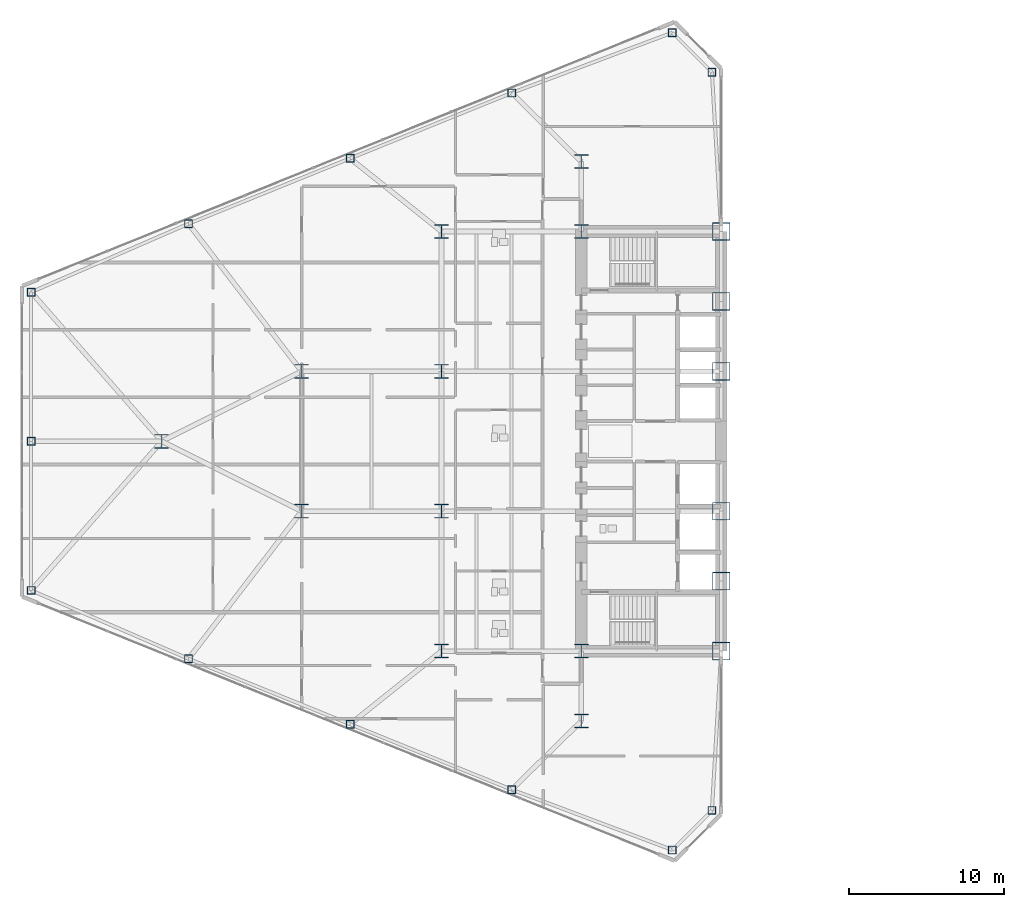
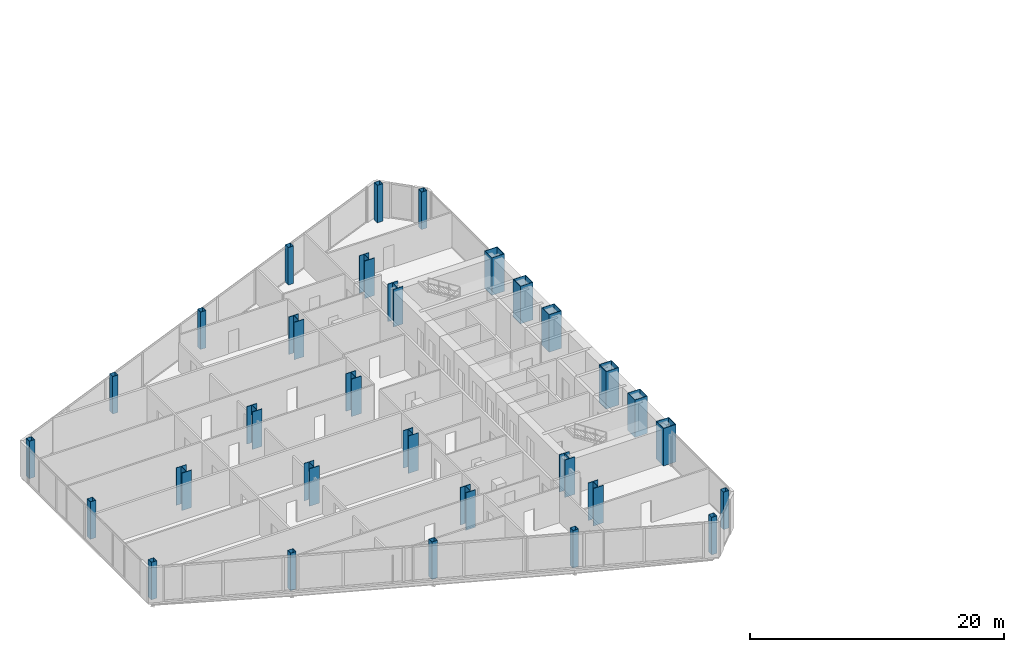
# One storey, part 1 of 25: 30 columns.
"""IFC4 building model written with IfcOpenShell, lengths in metres."""

from ifc_helpers import new_model, si_unit, direction, frame, origin, origin_2d, place, context, subcontext, project, spatial, hollow_rectangle, i_section, extrude, source, transform, mapped, material, material_profile, profile_set, type_object, type_shapes, element, save


model = new_model("IFC4")

# Units and contexts
model_context = context("Model", 3, precision=1e-05, world=origin(), true_north=direction((0.0, 1.0)))
body_context = subcontext(model_context, "Body", "Model", "MODEL_VIEW")
ifc_project = project(units=[si_unit("LENGTHUNIT", "METRE"), si_unit("AREAUNIT", "SQUARE_METRE"), si_unit("VOLUMEUNIT", "CUBIC_METRE"), si_unit("PLANEANGLEUNIT", "RADIAN"), si_unit("MASSUNIT", "GRAM", prefix="KILO")], contexts=[model_context])

# Site, building, storey
site_placement = place(None, origin())
site = spatial("IfcSite", under=ifc_project, at=site_placement, CompositionType="ELEMENT")
building_placement = place(site_placement, origin())
building = spatial("IfcBuilding", under=site, at=building_placement, Name="Seokmaru Belvedere", CompositionType="ELEMENT")
storey_placement = place(building_placement, frame((0.0, 0.0, 36.89990234375)))
storey = spatial("IfcBuildingStorey", under=building, at=storey_placement, Name="L09", CompositionType="ELEMENT", Elevation=36.89990234375)

# Columns
ifc_material_1 = material(Name="Steel HSA650 (650 MPa)", Category="steel")
ifc_material_profile_1 = material_profile(ifc_material_1, hollow_rectangle(XDim=1.14990234375, YDim=1.14990234375, WallThickness=0.048095703125, at=origin_2d()), Name="BOX-1150x1150x48")
ifc_profile_set_1 = profile_set([ifc_material_profile_1], Name="Steel HSA650 (650 MPa)")
column_type_1 = type_object("IfcColumnType", Name="Portal Spine Column BOX-1150", PredefinedType="COLUMN", material=ifc_profile_set_1)
shared_shape_1 = source(origin(), body_context, "Body", "SweptSolid", [
    extrude(hollow_rectangle(XDim=1.14990234375, YDim=1.14990234375, WallThickness=0.048095703125, at=origin_2d()), origin(), (0.0, 0.0, 1.0), 3.60009765625),
])
type_shapes(column_type_1, [shared_shape_1])
for number, where, z_axis, x_axis, name in (
    (1, (-27.5, -13.5, 0.0), (0.0, 0.0, 1.0), (1.0, 0.0, 0.0), "L09 Column WS1"),
    (2, (-27.5, -9.0, 0.0), (0.0, 0.0, 1.0), (1.0, 0.0, 0.0), "L09 Column WS2"),
    (3, (-27.5, -4.5, 0.0), (0.0, 0.0, 1.0), (1.0, 0.0, 0.0), "L09 Column WS3"),
    (4, (-27.5, 4.5, 0.0), (0.0, 0.0, 1.0), (1.0, 0.0, 0.0), "L09 Column WS4"),
    (5, (-27.5, 9.0, 0.0), (0.0, 0.0, 1.0), (1.0, 0.0, 0.0), "L09 Column WS5"),
    (6, (-27.5, 13.5, 0.0), (0.0, 0.0, 1.0), (1.0, 0.0, 0.0), "L09 Column WS6"),
):
    element("IfcColumn", number, at=place(storey_placement, frame(where, z_axis=z_axis, x_axis=x_axis)), inside=storey, type_object=column_type_1, Name=name, PredefinedType="COLUMN", context=body_context, shape_type="MappedRepresentation", body=[
        mapped(shared_shape_1, transform((0.0, 0.0, 0.0), scale=1.0)),
    ])
ifc_material_profile_2 = material_profile(ifc_material_1, i_section(OverallWidth=0.89990234375, OverallDepth=0.89990234375, WebThickness=0.035888671875, FlangeThickness=0.054931640625, at=origin_2d()), Name="H-900x900x36x55")
ifc_profile_set_2 = profile_set([ifc_material_profile_2], Name="Steel HSA650 (650 MPa)")
column_type_2 = type_object("IfcColumnType", Name="Lower Interior Column H-900", PredefinedType="COLUMN", material=ifc_profile_set_2)
shared_shape_2 = source(origin(), body_context, "Body", "SweptSolid", [
    extrude(i_section(OverallWidth=0.89990234375, OverallDepth=0.89990234375, WebThickness=0.035888671875, FlangeThickness=0.054931640625, at=origin_2d()), origin(), (0.0, 0.0, 1.0), 3.60009765625),
])
type_shapes(column_type_2, [shared_shape_2])
for number, where, z_axis, x_axis, name in (
    (7, (-36.5, -18.0, 0.0), (0.0, 0.0, 1.0), (1.0, 0.0, 0.0), "L09 Column WC1"),
    (8, (-36.5, -13.5, 0.0), (0.0, 0.0, 1.0), (1.0, 0.0, 0.0), "L09 Column WC2"),
    (9, (-36.5, 13.5, 0.0), (0.0, 0.0, 1.0), (1.0, 0.0, 0.0), "L09 Column WC3"),
    (10, (-36.5, 18.0, 0.0), (0.0, 0.0, 1.0), (1.0, 0.0, 0.0), "L09 Column WC4"),
    (11, (-45.5, -13.5, 0.0), (0.0, 0.0, 1.0), (1.0, 0.0, 0.0), "L09 Column WG5_1"),
    (12, (-45.5, -4.5, 0.0), (0.0, 0.0, 1.0), (1.0, 0.0, 0.0), "L09 Column WG5_2"),
    (13, (-45.5, 4.5, 0.0), (0.0, 0.0, 1.0), (1.0, 0.0, 0.0), "L09 Column WG5_3"),
    (14, (-45.5, 13.5, 0.0), (0.0, 0.0, 1.0), (1.0, 0.0, 0.0), "L09 Column WG5_4"),
    (15, (-54.5, -4.5, 0.0), (0.0, 0.0, 1.0), (1.0, 0.0, 0.0), "L09 Column WG4P_1"),
    (16, (-54.5, 4.5, 0.0), (0.0, 0.0, 1.0), (1.0, 0.0, 0.0), "L09 Column WG4P_2"),
    (17, (-63.5, 0.0, 0.0), (0.0, 0.0, 1.0), (1.0, 0.0, 0.0), "L09 Column WG3P_1"),
):
    element("IfcColumn", number, at=place(storey_placement, frame(where, z_axis=z_axis, x_axis=x_axis)), inside=storey, type_object=column_type_2, Name=name, PredefinedType="COLUMN", context=body_context, shape_type="MappedRepresentation", body=[
        mapped(shared_shape_2, transform((0.0, 0.0, 0.0), scale=1.0)),
    ])
ifc_material_2 = material(Name="Steel SM355 (355 MPa)", Category="steel")
ifc_material_profile_3 = material_profile(ifc_material_2, hollow_rectangle(XDim=0.5, YDim=0.5, WallThickness=0.02001953125, at=origin_2d()), Name="HSS-500x500x20")
ifc_profile_set_3 = profile_set([ifc_material_profile_3], Name="Steel SM355 (355 MPa)")
column_type_3 = type_object("IfcColumnType", Name="Perimeter Facet Column HSS-500", PredefinedType="COLUMN", material=ifc_profile_set_3)
shared_shape_3 = source(origin(), body_context, "Body", "SweptSolid", [
    extrude(hollow_rectangle(XDim=0.5, YDim=0.5, WallThickness=0.02001953125, at=origin_2d()), origin(), (0.0, 0.0, 1.0), 3.60009765625),
])
type_shapes(column_type_3, [shared_shape_3])
for number, where, z_axis, x_axis, name in (
    (18, (-28.10009765625, -23.75146484375, 0.0), (0.0, 0.0, 1.0), (1.0, 0.0, 0.0), "L09 Column WF1"),
    (19, (-28.10009765625, 23.75146484375, 0.0), (0.0, 0.0, 1.0), (1.0, 0.0, 0.0), "L09 Column WF2"),
    (20, (-30.643310546875, 26.294677734375, 0.0), (0.0, 0.0, 1.0), (1.0, 0.0, 0.0), "L09 Column WF3"),
    (21, (-71.89990234375, 9.595703125, 0.0), (0.0, 0.0, 1.0), (1.0, 0.0, 0.0), "L09 Column WF4"),
    (22, (-71.89990234375, -9.595703125, 0.0), (0.0, 0.0, 1.0), (1.0, 0.0, 0.0), "L09 Column WF5"),
    (23, (-30.643310546875, -26.294677734375, 0.0), (0.0, 0.0, 1.0), (1.0, 0.0, 0.0), "L09 Column WF6"),
    (24, (-40.977294921875, -22.4140625, 0.0), (0.0, 0.0, 1.0), (1.0, 0.0, 0.0), "L09 Column WFLK_S1"),
    (25, (-51.378173828125, -18.2041015625, 0.0), (0.0, 0.0, 1.0), (1.0, 0.0, 0.0), "L09 Column WFLK_S2"),
    (26, (-61.779052734375, -13.994140625, 0.0), (0.0, 0.0, 1.0), (1.0, 0.0, 0.0), "L09 Column WFLK_S3"),
    (27, (-40.977294921875, 22.4140625, 0.0), (0.0, 0.0, 1.0), (1.0, 0.0, 0.0), "L09 Column WFLK_N1"),
    (28, (-51.378173828125, 18.2041015625, 0.0), (0.0, 0.0, 1.0), (1.0, 0.0, 0.0), "L09 Column WFLK_N2"),
    (29, (-61.779052734375, 13.994140625, 0.0), (0.0, 0.0, 1.0), (1.0, 0.0, 0.0), "L09 Column WFLK_N3"),
    (30, (-71.89990234375, 0.0, 0.0), (0.0, 0.0, 1.0), (1.0, 0.0, 0.0), "L09 Column WF_APXM"),
):
    element("IfcColumn", number, at=place(storey_placement, frame(where, z_axis=z_axis, x_axis=x_axis)), inside=storey, type_object=column_type_3, Name=name, PredefinedType="COLUMN", context=body_context, shape_type="MappedRepresentation", body=[
        mapped(shared_shape_3, transform((0.0, 0.0, 0.0), scale=1.0)),
    ])

save(model, "model.ifc")
